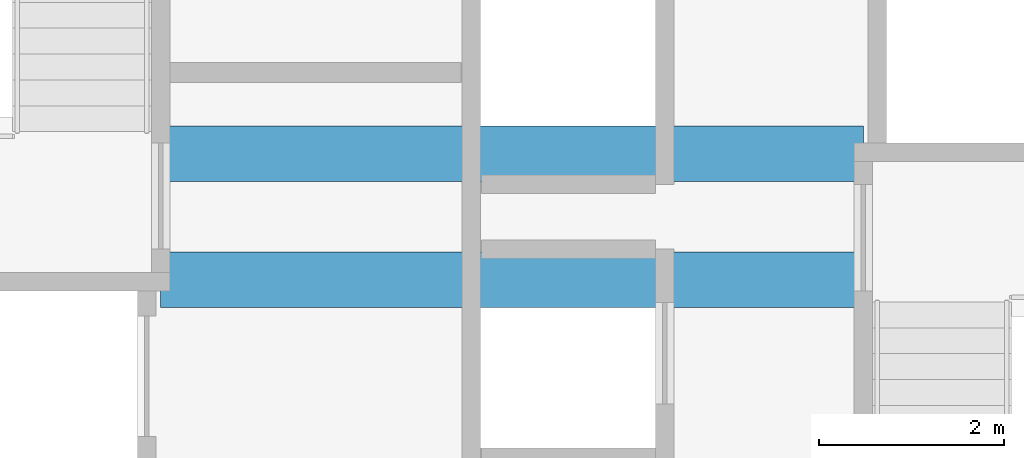
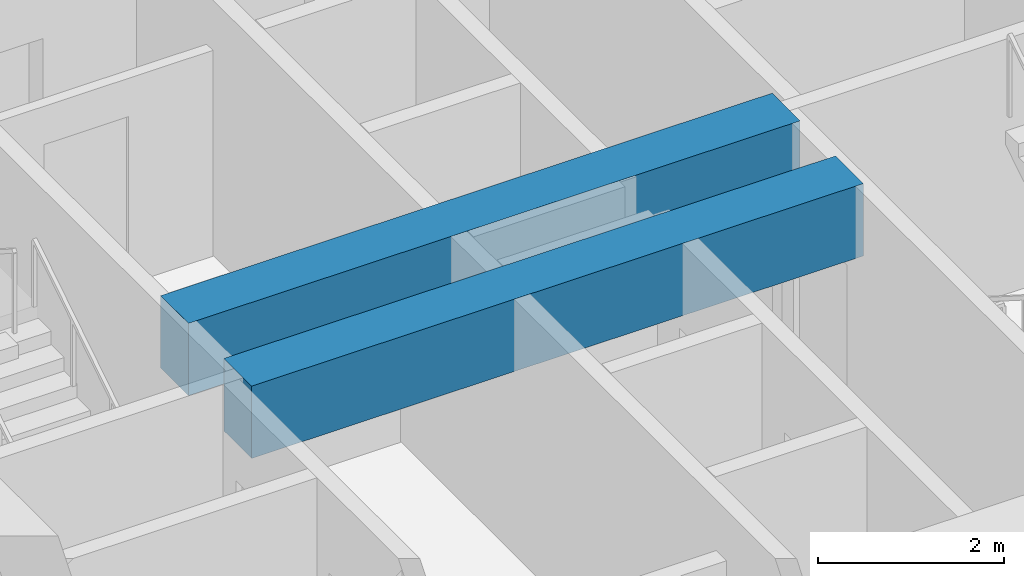
# One storey, part 8 of 51: 2 beams.
"""IFC4 building model written with IfcOpenShell, lengths in metres."""

from ifc_helpers import new_model, si_unit, direction, frame, origin, origin_2d, place, context, subcontext, project, spatial, rectangle, extrude, material, material_profile, profile_set, type_object, element, save


model = new_model("IFC4")

# Units and contexts
model_context = context("Model", 3, precision=1e-05, world=origin(), true_north=direction((0.0, 1.0)))
body_context = subcontext(model_context, "Body", "Model", "MODEL_VIEW")
ifc_project = project(units=[si_unit("LENGTHUNIT", "METRE"), si_unit("AREAUNIT", "SQUARE_METRE"), si_unit("VOLUMEUNIT", "CUBIC_METRE"), si_unit("PLANEANGLEUNIT", "RADIAN"), si_unit("MASSUNIT", "GRAM", prefix="KILO")], contexts=[model_context])

# Site, building, storey
site_placement = place(None, origin())
site = spatial("IfcSite", under=ifc_project, at=site_placement, CompositionType="ELEMENT")
building_placement = place(site_placement, origin())
building = spatial("IfcBuilding", under=site, at=building_placement, Name="Tashvorn Skyway Center", CompositionType="ELEMENT")
storey_placement = place(building_placement, frame((0.0, 0.0, 49.449951171875)))
storey = spatial("IfcBuildingStorey", under=building, at=storey_placement, Name="L12", CompositionType="ELEMENT", Elevation=49.449951171875)

# Beams
ifc_material = material(Name="Concrete C60/75", Category="concrete")
ifc_material_profile = material_profile(ifc_material, rectangle(XDim=0.60009765625, YDim=0.949951171875, at=origin_2d()), Name="RCB600x950")
ifc_profile_set = profile_set([ifc_material_profile], Name="Concrete C60/75")
beam_type = type_object("IfcBeamType", Name="BM-LINTEL-RCB600x950", PredefinedType="LINTEL", material=ifc_profile_set)
for number, where, z_axis, x_axis, name in (
    (1, (38.199951171875, 32.679931640625, 2.875), (1.0, 0.0, 0.0), (0.0, 1.0, 0.0), "Tower 1 L12 Core Coupling Beam CN"),
    (2, (38.199951171875, 31.320068359375, 2.875), (1.0, 0.0, 0.0), (0.0, 1.0, 0.0), "Tower 1 L12 Core Coupling Beam CS"),
):
    element("IfcBeam", number, at=place(storey_placement, frame(where, z_axis=z_axis, x_axis=x_axis)), inside=storey, type_object=beam_type, Name=name, PredefinedType="LINTEL", context=body_context, shape_type="SweptSolid", body=[
        extrude(rectangle(XDim=0.60009765625, YDim=0.949951171875, at=origin_2d()), origin(), (0.0, 0.0, 1.0), 7.60009765625),
    ])

save(model, "model.ifc")
